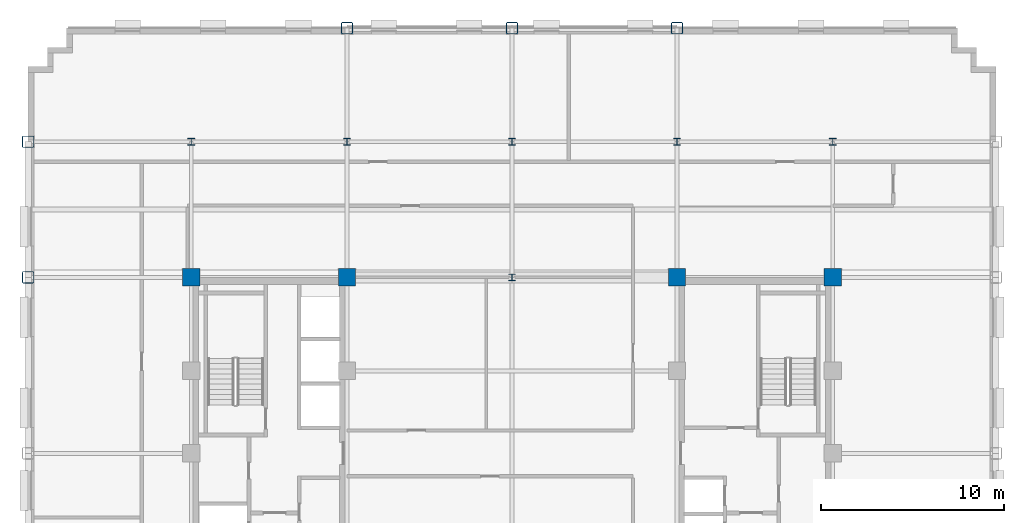
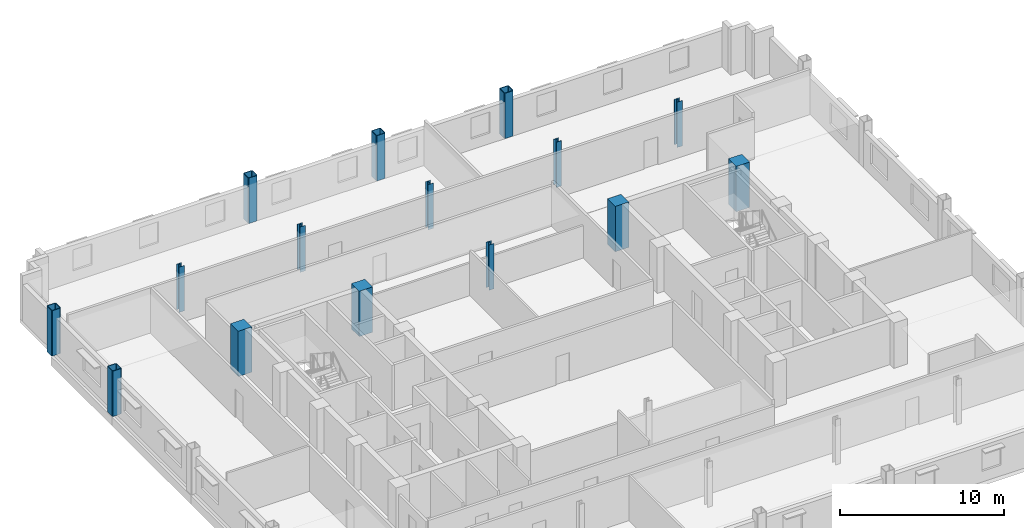
# One storey, part 3 of 14: 15 columns.
"""IFC4 building model written with IfcOpenShell, lengths in metres."""

from ifc_helpers import new_model, si_unit, direction, frame, origin, origin_2d, place, context, subcontext, project, spatial, rectangle, hollow_rectangle, i_section, extrude, material, material_profile, profile_set, type_object, element, save


model = new_model("IFC4")

# Units and contexts
model_context = context("Model", 3, precision=1e-05, world=origin(), true_north=direction((0.0, 1.0)))
body_context = subcontext(model_context, "Body", "Model", "MODEL_VIEW")
ifc_project = project(units=[si_unit("LENGTHUNIT", "METRE"), si_unit("AREAUNIT", "SQUARE_METRE"), si_unit("VOLUMEUNIT", "CUBIC_METRE"), si_unit("PLANEANGLEUNIT", "RADIAN"), si_unit("MASSUNIT", "GRAM", prefix="KILO")], contexts=[model_context])

# Site, building, storey
site_placement = place(None, origin())
site = spatial("IfcSite", under=ifc_project, at=site_placement, CompositionType="ELEMENT")
building_placement = place(site_placement, origin())
building = spatial("IfcBuilding", under=site, at=building_placement, Name="Nuvemarco Arch Tower", CompositionType="ELEMENT")
storey_placement = place(building_placement, frame((0.0, 0.0, 131.14990234375)))
storey = spatial("IfcBuildingStorey", under=building, at=storey_placement, Name="L34", CompositionType="ELEMENT", Elevation=131.14990234375)

# Columns
ifc_material_1 = material(Name="Concrete C50/60", Category="concrete")
ifc_material_profile_1 = material_profile(ifc_material_1, rectangle(XDim=0.949951171875, YDim=0.949951171875, at=origin_2d()), Name="RC-COL-950x950")
ifc_profile_set_1 = profile_set([ifc_material_profile_1], Name="Concrete C50/60")
column_type_1 = type_object("IfcColumnType", Name="COL-CORE-950", PredefinedType="COLUMN", material=ifc_profile_set_1)
for number, where, z_axis, x_axis, name in (
    (1, (-17.5, 9.60009765625, 0.0), (0.0, 0.0, 1.0), (1.0, 0.0, 0.0), "L34 column CC_-17.5_+9.6"),
    (2, (-9.0, 9.60009765625, 0.0), (0.0, 0.0, 1.0), (1.0, 0.0, 0.0), "L34 column CC_-9.0_+9.6"),
    (3, (9.0, 9.60009765625, 0.0), (0.0, 0.0, 1.0), (1.0, 0.0, 0.0), "L34 column CC_+9.0_+9.6"),
    (4, (17.5, 9.60009765625, 0.0), (0.0, 0.0, 1.0), (1.0, 0.0, 0.0), "L34 column CC_+17.5_+9.6"),
):
    element("IfcColumn", number, at=place(storey_placement, frame(where, z_axis=z_axis, x_axis=x_axis)), inside=storey, type_object=column_type_1, Name=name, PredefinedType="COLUMN", context=body_context, shape_type="SweptSolid", body=[
        extrude(rectangle(XDim=0.949951171875, YDim=0.949951171875, at=origin_2d()), origin(), (0.0, 0.0, 1.0), 3.3701171875),
    ])
ifc_material_2 = material(Name="Steel S355", Category="steel")
ifc_material_profile_2 = material_profile(ifc_material_2, hollow_rectangle(XDim=0.64990234375, YDim=0.64990234375, WallThickness=0.0400390625, InnerFilletRadius=0.0400390625, OuterFilletRadius=0.080078125, at=origin_2d()), Name="SHS650x650x40")
ifc_profile_set_2 = profile_set([ifc_material_profile_2], Name="Steel S355")
column_type_2 = type_object("IfcColumnType", Name="COL-EXO-650", PredefinedType="COLUMN", material=ifc_profile_set_2)
for number, where, z_axis, x_axis, name in (
    (5, (-26.39990234375, 9.60009765625, 0.0), (0.0, 0.0, 1.0), (1.0, 0.0, 0.0), "L34 column CX_-26.4_+9.6"),
    (6, (-26.39990234375, 17.0, 0.0), (0.0, 0.0, 1.0), (1.0, 0.0, 0.0), "L34 column CX_-26.4_+17.0"),
    (7, (-9.0, 23.199951171875, 0.0), (0.0, 0.0, 1.0), (1.0, 0.0, 0.0), "L34 column CY_-9.0_+23.2"),
    (8, (0.0, 23.199951171875, 0.0), (0.0, 0.0, 1.0), (1.0, 0.0, 0.0), "L34 column CY_+0.0_+23.2"),
    (9, (9.0, 23.199951171875, 0.0), (0.0, 0.0, 1.0), (1.0, 0.0, 0.0), "L34 column CY_+9.0_+23.2"),
):
    element("IfcColumn", number, at=place(storey_placement, frame(where, z_axis=z_axis, x_axis=x_axis)), inside=storey, type_object=column_type_2, Name=name, PredefinedType="COLUMN", context=body_context, shape_type="SweptSolid", body=[
        extrude(hollow_rectangle(XDim=0.64990234375, YDim=0.64990234375, WallThickness=0.0400390625, InnerFilletRadius=0.0400390625, OuterFilletRadius=0.080078125, at=origin_2d()), origin(), (0.0, 0.0, 1.0), 3.3701171875),
    ])
ifc_material_profile_3 = material_profile(ifc_material_2, i_section(OverallWidth=0.360107421875, OverallDepth=0.360107421875, WebThickness=0.0205078125, FlangeThickness=0.0205078125, FilletRadius=0.01806640625, at=origin_2d()), Name="HP360x174")
ifc_profile_set_3 = profile_set([ifc_material_profile_3], Name="Steel S355")
column_type_3 = type_object("IfcColumnType", Name="COL-STL-HP360", PredefinedType="COLUMN", material=ifc_profile_set_3)
for number, where, z_axis, x_axis, name in (
    (10, (0.0, 9.60009765625, 0.0), (0.0, 0.0, 1.0), (1.0, 0.0, 0.0), "L34 column CI_+0.0_+9.6"),
    (11, (0.0, 17.0, 0.0), (0.0, 0.0, 1.0), (1.0, 0.0, 0.0), "L34 column CI_+0.0_+17.0"),
    (12, (-17.5, 17.0, 0.0), (0.0, 0.0, 1.0), (1.0, 0.0, 0.0), "L34 column CI_-17.5_+17.0"),
    (13, (-9.0, 17.0, 0.0), (0.0, 0.0, 1.0), (1.0, 0.0, 0.0), "L34 column CI_-9.0_+17.0"),
    (14, (9.0, 17.0, 0.0), (0.0, 0.0, 1.0), (1.0, 0.0, 0.0), "L34 column CI_+9.0_+17.0"),
    (15, (17.5, 17.0, 0.0), (0.0, 0.0, 1.0), (1.0, 0.0, 0.0), "L34 column CI_+17.5_+17.0"),
):
    element("IfcColumn", number, at=place(storey_placement, frame(where, z_axis=z_axis, x_axis=x_axis)), inside=storey, type_object=column_type_3, Name=name, PredefinedType="COLUMN", context=body_context, shape_type="SweptSolid", body=[
        extrude(i_section(OverallWidth=0.360107421875, OverallDepth=0.360107421875, WebThickness=0.0205078125, FlangeThickness=0.0205078125, FilletRadius=0.01806640625, at=origin_2d()), origin(), (0.0, 0.0, 1.0), 3.3701171875),
    ])

save(model, "model.ifc")
